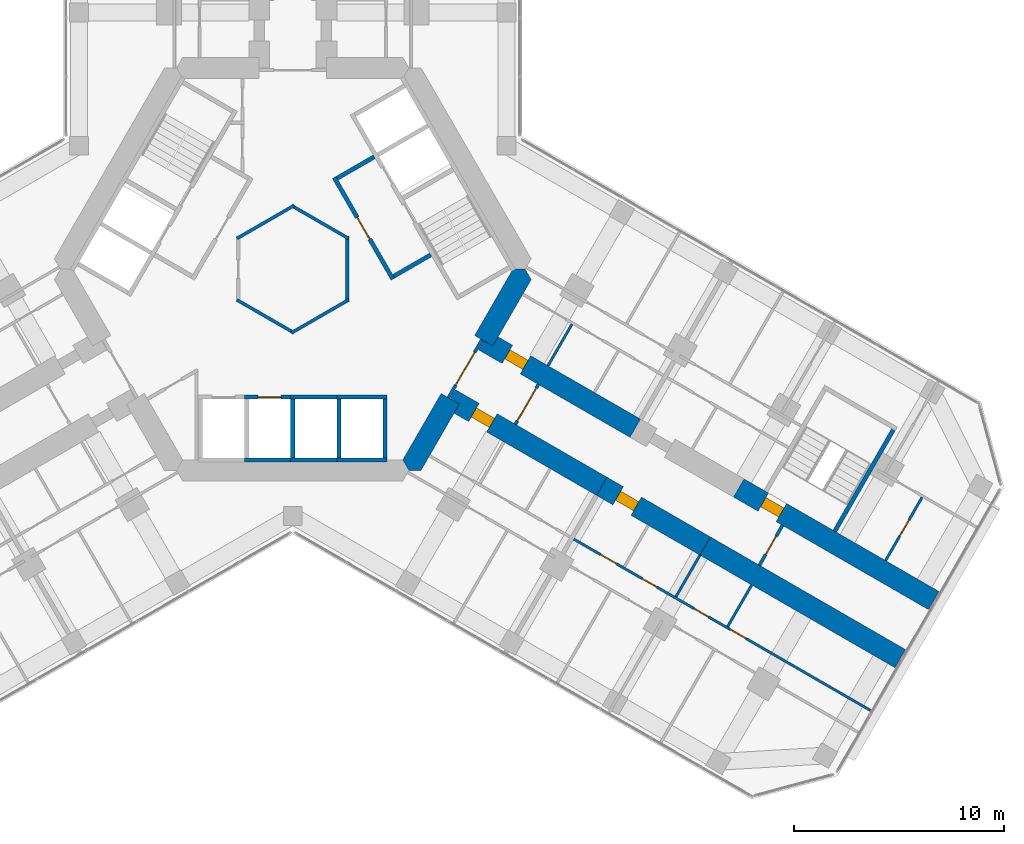
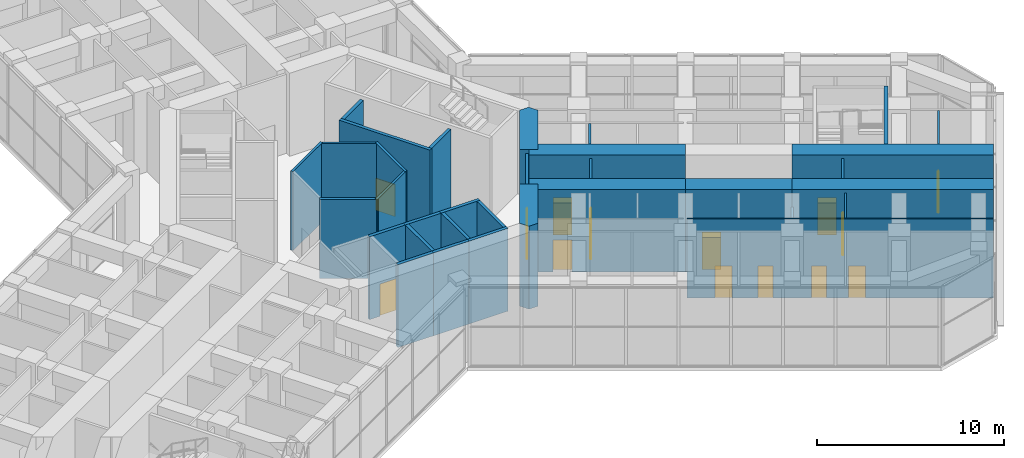
# One storey, part 17 of 23: 33 walls, 14 doors, 14 openings.
"""IFC4 building model written with IfcOpenShell, lengths in metres."""

from ifc_helpers import new_model, si_unit, direction, frame, frame_2d, origin, place, context, subcontext, project, spatial, polyline, rectangle, outline, extrude, material, layer, layer_set, type_object, element, fill, save


model = new_model("IFC4")

# Units and contexts
model_context = context("Model", 3, precision=1e-05, world=origin(), true_north=direction((0.0, 1.0)))
body_context = subcontext(model_context, "Body", "Model", "MODEL_VIEW")
ifc_project = project(units=[si_unit("LENGTHUNIT", "METRE"), si_unit("AREAUNIT", "SQUARE_METRE"), si_unit("VOLUMEUNIT", "CUBIC_METRE"), si_unit("PLANEANGLEUNIT", "RADIAN"), si_unit("MASSUNIT", "GRAM", prefix="KILO")], contexts=[model_context])

# Site, building, storey
site_placement = place(None, origin())
site = spatial("IfcSite", under=ifc_project, at=site_placement, CompositionType="ELEMENT")
building_placement = place(site_placement, origin())
building = spatial("IfcBuilding", under=site, at=building_placement, Name="Kosmar Iwan School Tower", CompositionType="ELEMENT")
storey_placement = place(building_placement, frame((0.0, 0.0, 75.39990234375)))
storey = spatial("IfcBuildingStorey", under=building, at=storey_placement, Name="L18", CompositionType="ELEMENT", Elevation=75.39990234375)

# Walls
ifc_material_1 = material(Name="Gypsum board on steel studs, fire-rated", Category="steel")
ifc_layer_1 = layer(ifc_material_1, 0.14990234375)
ifc_layer_set_1 = layer_set([ifc_layer_1], Name="Core room partition 150")
wall_type_1 = type_object("IfcWallType", Name="Core room partition 150", PredefinedType="PARTITIONING", material=ifc_layer_set_1)
for number, where, z_axis, x_axis, name in (
    (1, (2.6650390625, -1.463623046875, 0.0), (0.0, 0.0, 1.0), (-0.866023080072, -0.500004024767, 0.0), "Core room partition L18-CW4"),
    (2, (0.06494140625, -3.039794921875, 0.0), (0.0, 0.0, 1.0), (-0.866023080072, 0.500004024767, 0.0), "Core room partition L18-CW5"),
    (3, (-2.6650390625, 1.463623046875, 0.0), (0.0, 0.0, 1.0), (0.866023080072, 0.500004024767, 0.0), "Core room partition L18-CW7"),
    (4, (-0.06494140625, 3.039794921875, 0.0), (0.0, 0.0, 1.0), (0.866023080072, -0.500004024767, 0.0), "Core room partition L18-CW8"),
    (5, (2.60009765625, 1.576171875, 0.0), (0.0, 0.0, 1.0), (0.0, -1.0, 0.0), "Core room partition L18-CW9"),
):
    element("IfcWall", number, at=place(storey_placement, frame(where, z_axis=z_axis, x_axis=x_axis)), inside=storey, type_object=wall_type_1, Name=name, PredefinedType="PARTITIONING", context=body_context, shape_type="SweptSolid", body=[
        extrude(rectangle(XDim=3.15234375, YDim=0.14990234375, at=frame_2d((1.576171875, 0.0))), origin(), (0.0, 0.0, 1.0), 5.150146484375),
    ])
ifc_material_2 = material(Name="Concrete C50/60", Category="concrete")
ifc_layer_2 = layer(ifc_material_2, 1.0)
ifc_layer_set_2 = layer_set([ifc_layer_2], Name="Core wall 1000")
wall_type_2 = type_object("IfcWallType", Name="Core wall 1000", PredefinedType="SHEAR", material=ifc_layer_set_2)
wall_1_placement = place(storey_placement, origin())
element("IfcWall", 6, at=wall_1_placement, inside=storey, type_object=wall_type_2, Name="Core wall F330a", PredefinedType="SHEAR", context=body_context, shape_type="SweptSolid", body=[
    extrude(outline(polyline([(5.54248046875, -9.60009765625), (6.119873046875, -9.60009765625), (7.94677734375, -6.435546875), (7.080810546875, -5.935546875), (5.25390625, -9.10009765625), (5.54248046875, -9.60009765625)])), origin(), (0.0, 0.0, 1.0), 5.400146484375),
])
wall_2_placement = place(storey_placement, origin())
element("IfcWall", 7, at=wall_2_placement, inside=storey, type_object=wall_type_2, Name="Core wall F330b", PredefinedType="SHEAR", context=body_context, shape_type="SweptSolid", body=[
    extrude(outline(polyline([(9.546875, -3.664306640625), (11.373779296875, -0.5), (11.085205078125, 0.0), (10.5078125, 0.0), (8.680908203125, -3.164306640625), (9.546875, -3.664306640625)])), origin(), (0.0, 0.0, 1.0), 5.400146484375),
])

# Wall, opening, door
ifc_material_3 = material(Name="Concrete C50/60", Category="concrete")
ifc_layer_3 = layer(ifc_material_3, 1.0)
ifc_layer_set_3 = layer_set([ifc_layer_3], Name="Corridor buttress wall 1000")
wall_type_3 = type_object("IfcWallType", Name="Corridor buttress wall 1000", PredefinedType="SHEAR", material=ifc_layer_set_3)
wall_3_placement = place(storey_placement, frame((9.11376953125, -3.414306640625, 0.0), z_axis=(0.0, 0.0, 1.0), x_axis=(0.866026859388, -0.499997478812, 0.0)))
wall_3 = element("IfcWall", 8, at=wall_3_placement, inside=storey, type_object=wall_type_3, Name="Corridor wall CL", PredefinedType="SHEAR", context=body_context, shape_type="SweptSolid", body=[
    extrude(rectangle(XDim=8.35009765625, YDim=1.0, at=frame_2d((4.175048828125, 0.0))), origin(), (0.0, 0.0, 1.0), 5.400146484375),
])
opening_1_placement = place(wall_3_placement, frame((1.300048828125, 0.0, 0.0)))
opening_1 = element("IfcOpeningElement", 9, at=opening_1_placement, cuts=wall_3, Name="Opening D1", PredefinedType="OPENING", context=body_context, shape_type="SweptSolid", body=[
    extrude(rectangle(XDim=1.0, YDim=2.10009765625, at=frame_2d((0.5, 1.050048828125))), frame((0.0, 0.511962890625, 0.0), z_axis=(0.0, -1.0, 0.0), x_axis=(1.0, 0.0, 0.0)), (0.0, 0.0, 1.0), 1.02392578125),
])
ifc_material_4 = material(Name="Timber fire door in steel frame", Category="steel")
door_type_1 = type_object("IfcDoorType", Name="Flat entrance door 1000x2100", OperationType="SINGLE_SWING_LEFT", PredefinedType="DOOR", material=ifc_material_4)
door_1_placement = place(opening_1_placement, origin())
door_1 = element("IfcDoor", 10, at=door_1_placement, inside=storey, type_object=door_type_1, Name="Flat L18-CL1 entrance door", OperationType="SINGLE_SWING_RIGHT", OverallHeight=2.10009765625, OverallWidth=1.0, PredefinedType="DOOR", context=body_context, shape_type="SweptSolid", body=[
    extrude(rectangle(XDim=1.0, YDim=2.10009765625, at=frame_2d((0.5, 1.050048828125))), frame((0.0, 0.25, 0.0), z_axis=(0.0, -1.0, 0.0), x_axis=(1.0, 0.0, 0.0)), (0.0, 0.0, 1.0), 0.5),
])
fill(opening_1, door_1)

wall_4_placement = place(storey_placement, frame((21.281494140625, -10.439453125, 0.0), z_axis=(0.0, 0.0, 1.0), x_axis=(0.866032345022, -0.499987977232, 0.0)))
wall_4 = element("IfcWall", 11, at=wall_4_placement, inside=storey, type_object=wall_type_3, Name="Corridor wall CL bay 3", PredefinedType="SHEAR", context=body_context, shape_type="SweptSolid", body=[
    extrude(rectangle(XDim=10.744873046875, YDim=1.0, at=frame_2d((5.37255859375, 0.0))), origin(), (0.0, 0.0, 1.0), 5.400146484375),
])
opening_2_placement = place(wall_4_placement, frame((1.35009765625, 0.0, 0.0)))
opening_2 = element("IfcOpeningElement", 12, at=opening_2_placement, cuts=wall_4, Name="Opening D6", PredefinedType="OPENING", context=body_context, shape_type="SweptSolid", body=[
    extrude(rectangle(XDim=1.0, YDim=2.10009765625, at=frame_2d((0.5, 1.050048828125))), frame((0.0, 0.511962890625, 0.0), z_axis=(0.0, -1.0, 0.0), x_axis=(1.0, 0.0, 0.0)), (0.0, 0.0, 1.0), 1.02392578125),
])
ifc_material_5 = material(Name="Steel fire door", Category="steel")
door_type_2 = type_object("IfcDoorType", Name="Stair door 1000x2100", OperationType="SINGLE_SWING_LEFT", PredefinedType="DOOR", material=ifc_material_5)
door_2_placement = place(opening_2_placement, origin())
door_2 = element("IfcDoor", 13, at=door_2_placement, inside=storey, type_object=door_type_2, Name="Stair WS3 door L18", OperationType="SINGLE_SWING_LEFT", OverallHeight=2.10009765625, OverallWidth=1.0, PredefinedType="DOOR", context=body_context, shape_type="SweptSolid", body=[
    extrude(rectangle(XDim=1.0, YDim=2.10009765625, at=frame_2d((0.5, 1.050048828125))), frame((0.0, 0.25, 0.0), z_axis=(0.0, -1.0, 0.0), x_axis=(1.0, 0.0, 0.0)), (0.0, 0.0, 1.0), 0.5),
])
fill(opening_2, door_2)

wall_5_placement = place(storey_placement, frame((7.513916015625, -6.185546875, 0.0), z_axis=(0.0, 0.0, 1.0), x_axis=(0.866019549707, -0.500010139422, 0.0)))
wall_5 = element("IfcWall", 14, at=wall_5_placement, inside=storey, type_object=wall_type_3, Name="Corridor wall CR", PredefinedType="SHEAR", context=body_context, shape_type="SweptSolid", body=[
    extrude(rectangle(XDim=8.349853515625, YDim=1.0, at=frame_2d((4.1748046875, 0.0))), origin(), (0.0, 0.0, 1.0), 5.400146484375),
])
opening_3_placement = place(wall_5_placement, frame((1.300048828125, 0.0, 0.0)))
opening_3 = element("IfcOpeningElement", 15, at=opening_3_placement, cuts=wall_5, Name="Opening D1", PredefinedType="OPENING", context=body_context, shape_type="SweptSolid", body=[
    extrude(rectangle(XDim=1.0, YDim=2.10009765625, at=frame_2d((0.5, 1.050048828125))), frame((0.0, 0.511962890625, 0.0), z_axis=(0.0, -1.0, 0.0), x_axis=(1.0, 0.0, 0.0)), (0.0, 0.0, 1.0), 1.02392578125),
])
door_3_placement = place(opening_3_placement, origin())
door_3 = element("IfcDoor", 16, at=door_3_placement, inside=storey, type_object=door_type_1, Name="Flat L18-CR1 entrance door", OperationType="SINGLE_SWING_RIGHT", OverallHeight=2.10009765625, OverallWidth=1.0, PredefinedType="DOOR", context=body_context, shape_type="SweptSolid", body=[
    extrude(rectangle(XDim=1.0, YDim=2.10009765625, at=frame_2d((0.5, 1.050048828125))), frame((0.0, 0.25, 0.0), z_axis=(0.0, -1.0, 0.0), x_axis=(1.0, 0.0, 0.0)), (0.0, 0.0, 1.0), 0.5),
])
fill(opening_3, door_3)

wall_6_placement = place(storey_placement, frame((14.7451171875, -10.360595703125, 0.0), z_axis=(0.0, 0.0, 1.0), x_axis=(0.866015111908, -0.50001782563, 0.0)))
wall_6 = element("IfcWall", 17, at=wall_6_placement, inside=storey, type_object=wall_type_3, Name="Corridor wall CR bay 2", PredefinedType="SHEAR", context=body_context, shape_type="SweptSolid", body=[
    extrude(rectangle(XDim=5.699951171875, YDim=1.0, at=frame_2d((2.85009765625, 0.0))), origin(), (0.0, 0.0, 1.0), 5.400146484375),
])
opening_4_placement = place(wall_6_placement, frame((0.89990234375, 0.0, 0.0)))
opening_4 = element("IfcOpeningElement", 18, at=opening_4_placement, cuts=wall_6, Name="Opening D1", PredefinedType="OPENING", context=body_context, shape_type="SweptSolid", body=[
    extrude(rectangle(XDim=1.0, YDim=2.10009765625, at=frame_2d((0.5, 1.050048828125))), frame((0.0, 0.511962890625, 0.0), z_axis=(0.0, -1.0, 0.0), x_axis=(1.0, 0.0, 0.0)), (0.0, 0.0, 1.0), 1.02392578125),
])
door_4_placement = place(opening_4_placement, origin())
door_4 = element("IfcDoor", 19, at=door_4_placement, inside=storey, type_object=door_type_1, Name="Flat L18-CR2 entrance door", OperationType="SINGLE_SWING_LEFT", OverallHeight=2.10009765625, OverallWidth=1.0, PredefinedType="DOOR", context=body_context, shape_type="SweptSolid", body=[
    extrude(rectangle(XDim=1.0, YDim=2.10009765625, at=frame_2d((0.5, 1.050048828125))), frame((0.0, 0.25, 0.0), z_axis=(0.0, -1.0, 0.0), x_axis=(1.0, 0.0, 0.0)), (0.0, 0.0, 1.0), 0.5),
])
fill(opening_4, door_4)

# Wall
wall_7_placement = place(storey_placement, frame((19.681396484375, -13.210693359375, 0.0), z_axis=(0.0, 0.0, 1.0), x_axis=(0.866028186671, -0.499995179869, 0.0)))
element("IfcWall", 20, at=wall_7_placement, inside=storey, type_object=wall_type_3, Name="Corridor wall CR bay 3", PredefinedType="SHEAR", context=body_context, shape_type="SweptSolid", body=[
    extrude(rectangle(XDim=10.7451171875, YDim=1.0, at=frame_2d((5.37255859375, 0.0))), origin(), (0.0, 0.0, 1.0), 5.400146484375),
])

# Wall, opening, door
ifc_material_6 = material(Name="Gypsum board on steel studs, fire-rated", Category="steel")
ifc_layer_4 = layer(ifc_material_6, 0.14990234375)
ifc_layer_set_4 = layer_set([ifc_layer_4], Name="Corridor end wall 150")
wall_type_4 = type_object("IfcWallType", Name="Corridor end wall 150", PredefinedType="PARTITIONING", material=ifc_layer_set_4)
wall_8_placement = place(storey_placement, frame((22.269775390625, -14.127685546875, 0.0), z_axis=(0.0, 0.0, 1.0), x_axis=(0.50002983664, 0.866008176907, 0.0)))
wall_8 = element("IfcWall", 21, at=wall_8_placement, inside=storey, type_object=wall_type_4, Name="Partition L18-C-CE", PredefinedType="PARTITIONING", context=body_context, shape_type="SweptSolid", body=[
    extrude(rectangle(XDim=2.199951171875, YDim=0.14990234375, at=frame_2d((1.10009765625, 0.0))), origin(), (0.0, 0.0, 1.0), 5.150146484375),
])
opening_5_placement = place(wall_8_placement, frame((0.60009765625, 0.0, 0.0)))
opening_5 = element("IfcOpeningElement", 22, at=opening_5_placement, cuts=wall_8, Name="Opening D13", PredefinedType="OPENING", context=body_context, shape_type="SweptSolid", body=[
    extrude(rectangle(XDim=1.0, YDim=2.10009765625, at=frame_2d((0.5, 1.050048828125))), frame((0.0, 0.0869140625, 0.0), z_axis=(0.0, -1.0, 0.0), x_axis=(1.0, 0.0, 0.0)), (0.0, 0.0, 1.0), 0.173828125),
])
ifc_material_7 = material(Name="Timber fire door with vision panel", Category="wood")
door_type_3 = type_object("IfcDoorType", Name="Corridor end door 1000x2100", OperationType="SINGLE_SWING_LEFT", PredefinedType="DOOR", material=ifc_material_7)
door_5_placement = place(opening_5_placement, origin())
door_5 = element("IfcDoor", 23, at=door_5_placement, inside=storey, type_object=door_type_3, Name="Laundry and drying room door L18-C", OperationType="SINGLE_SWING_LEFT", OverallHeight=2.10009765625, OverallWidth=1.0, PredefinedType="DOOR", context=body_context, shape_type="SweptSolid", body=[
    extrude(rectangle(XDim=1.0, YDim=2.10009765625, at=frame_2d((0.5, 1.050048828125))), frame((0.0, 0.02490234375, 0.0), z_axis=(0.0, -1.0, 0.0), x_axis=(1.0, 0.0, 0.0)), (0.0, 0.0, 1.0), 0.050048828125),
])
fill(opening_5, door_5)

wall_9_placement = place(storey_placement, frame((10.621826171875, -7.402587890625, 0.0), z_axis=(0.0, 0.0, 1.0), x_axis=(0.499946605688, 0.86605622881, 0.0)))
wall_9 = element("IfcWall", 24, at=wall_9_placement, inside=storey, type_object=wall_type_4, Name="Partition L18-C-HW", PredefinedType="PARTITIONING", context=body_context, shape_type="SweptSolid", body=[
    extrude(rectangle(XDim=2.199951171875, YDim=0.14990234375, at=frame_2d((1.10009765625, 0.0))), origin(), (0.0, 0.0, 1.0), 5.150146484375),
])
opening_6_placement = place(wall_9_placement, frame((0.199951171875, 0.0, 0.0)))
opening_6 = element("IfcOpeningElement", 25, at=opening_6_placement, cuts=wall_9, Name="Opening D9", PredefinedType="OPENING", context=body_context, shape_type="SweptSolid", body=[
    extrude(rectangle(XDim=1.800048828125, YDim=2.10009765625, at=frame_2d((0.89990234375, 1.050048828125))), frame((0.0, 0.0869140625, 0.0), z_axis=(0.0, -1.0, 0.0), x_axis=(1.0, 0.0, 0.0)), (0.0, 0.0, 1.0), 0.173828125),
])
ifc_material_8 = material(Name="Steel framed glazed smoke door", Category="steel")
door_type_4 = type_object("IfcDoorType", Name="Corridor smoke door pair 1800x2100", OperationType="DOUBLE_DOOR_DOUBLE_SWING", PredefinedType="DOOR", material=ifc_material_8)
door_6_placement = place(opening_6_placement, origin())
door_6 = element("IfcDoor", 26, at=door_6_placement, inside=storey, type_object=door_type_4, Name="Entrance vestibule smoke doors L18-C", OperationType="DOUBLE_DOOR_DOUBLE_SWING", OverallHeight=2.10009765625, OverallWidth=1.800048828125, PredefinedType="DOOR", context=body_context, shape_type="SweptSolid", body=[
    extrude(rectangle(XDim=1.800048828125, YDim=2.10009765625, at=frame_2d((0.89990234375, 1.050048828125))), frame((0.0, 0.02490234375, 0.0), z_axis=(0.0, -1.0, 0.0), x_axis=(1.0, 0.0, 0.0)), (0.0, 0.0, 1.0), 0.050048828125),
])
fill(opening_6, door_6)

ifc_material_9 = material(Name="Steel framed glazed screen", Category="steel")
ifc_layer_5 = layer(ifc_material_9, 0.14990234375)
ifc_layer_set_5 = layer_set([ifc_layer_5], Name="Corridor screen wall 150")
wall_type_5 = type_object("IfcWallType", Name="Corridor screen wall 150", PredefinedType="PARTITIONING", material=ifc_layer_set_5)
wall_10_placement = place(storey_placement, frame((7.42724609375, -6.1357421875, 0.0), z_axis=(0.0, 0.0, 1.0), x_axis=(0.499995408039, 0.866028054938, 0.0)))
wall_10 = element("IfcWall", 27, at=wall_10_placement, inside=storey, type_object=wall_type_5, Name="Corridor screen C L18", PredefinedType="PARTITIONING", context=body_context, shape_type="SweptSolid", body=[
    extrude(rectangle(XDim=3.2001953125, YDim=0.14990234375, at=frame_2d((1.60009765625, 0.0))), origin(), (0.0, 0.0, 1.0), 5.150146484375),
])
opening_7_placement = place(wall_10_placement, frame((0.699951171875, 0.0, 0.0)))
opening_7 = element("IfcOpeningElement", 28, at=opening_7_placement, cuts=wall_10, Name="Opening D9", PredefinedType="OPENING", context=body_context, shape_type="SweptSolid", body=[
    extrude(rectangle(XDim=1.800048828125, YDim=2.10009765625, at=frame_2d((0.89990234375, 1.050048828125))), frame((0.0, 0.0869140625, 0.0), z_axis=(0.0, -1.0, 0.0), x_axis=(1.0, 0.0, 0.0)), (0.0, 0.0, 1.0), 0.173828125),
])
door_7_placement = place(opening_7_placement, origin())
door_7 = element("IfcDoor", 29, at=door_7_placement, inside=storey, type_object=door_type_4, Name="Corridor doors C L18", OperationType="DOUBLE_DOOR_DOUBLE_SWING", OverallHeight=2.10009765625, OverallWidth=1.800048828125, PredefinedType="DOOR", context=body_context, shape_type="SweptSolid", body=[
    extrude(rectangle(XDim=1.800048828125, YDim=2.10009765625, at=frame_2d((0.89990234375, 1.050048828125))), frame((0.0, 0.02490234375, 0.0), z_axis=(0.0, -1.0, 0.0), x_axis=(1.0, 0.0, 0.0)), (0.0, 0.0, 1.0), 0.050048828125),
])
fill(opening_7, door_7)

# Wall
ifc_material_10 = material(Name="Gypsum board on steel studs", Category="steel")
ifc_layer_6 = layer(ifc_material_10, 0.1201171875)
ifc_layer_set_6 = layer_set([ifc_layer_6], Name="Dwelling partition 120")
wall_type_6 = type_object("IfcWallType", Name="Dwelling partition 120", PredefinedType="PARTITIONING", material=ifc_layer_set_6)
wall_11_placement = place(storey_placement, frame((12.178466796875, -4.6064453125, 0.0), z_axis=(0.0, 0.0, 1.0), x_axis=(0.499968531483, 0.866043571379, 0.0)))
element("IfcWall", 30, at=wall_11_placement, inside=storey, type_object=wall_type_6, Name="Partition L18-CL1-Y1", PredefinedType="PARTITIONING", context=body_context, shape_type="SweptSolid", body=[
    extrude(rectangle(XDim=2.290283203125, YDim=0.1201171875, at=frame_2d((1.14501953125, 0.0))), origin(), (0.0, 0.0, 1.0), 5.150146484375),
])

# Wall, opening, door
wall_12_placement = place(storey_placement, frame((28.286376953125, -13.90625, 0.0), z_axis=(0.0, 0.0, 1.0), x_axis=(0.50002117804, 0.866013176292, 0.0)))
wall_12 = element("IfcWall", 31, at=wall_12_placement, inside=storey, type_object=wall_type_6, Name="Partition L18-CL2-TY", PredefinedType="PARTITIONING", context=body_context, shape_type="SweptSolid", body=[
    extrude(rectangle(XDim=3.489990234375, YDim=0.1201171875, at=frame_2d((1.7451171875, 0.0))), origin(), (0.0, 0.0, 1.0), 5.150146484375),
])
opening_8_placement = place(wall_12_placement, frame((1.344970703125, 0.0, 0.0)))
opening_8 = element("IfcOpeningElement", 32, at=opening_8_placement, cuts=wall_12, Name="Opening D2", PredefinedType="OPENING", context=body_context, shape_type="SweptSolid", body=[
    extrude(rectangle(XDim=0.89990234375, YDim=2.10009765625, at=frame_2d((0.449951171875, 1.050048828125))), frame((0.0, 0.072021484375, 0.0), z_axis=(0.0, -1.0, 0.0), x_axis=(1.0, 0.0, 0.0)), (0.0, 0.0, 1.0), 0.14404296875),
])
ifc_material_11 = material(Name="Timber door in timber frame", Category="wood")
door_type_5 = type_object("IfcDoorType", Name="Internal door 900x2100", OperationType="SINGLE_SWING_LEFT", PredefinedType="DOOR", material=ifc_material_11)
door_8_placement = place(opening_8_placement, origin())
door_8 = element("IfcDoor", 33, at=door_8_placement, inside=storey, type_object=door_type_5, Name="Bedroom 4 door L18-CL2-T4", OperationType="SINGLE_SWING_RIGHT", OverallHeight=2.10009765625, OverallWidth=0.89990234375, PredefinedType="DOOR", context=body_context, shape_type="SweptSolid", body=[
    extrude(rectangle(XDim=0.89990234375, YDim=2.10009765625, at=frame_2d((0.449951171875, 1.050048828125))), frame((0.0, 0.02490234375, 0.0), z_axis=(0.0, -1.0, 0.0), x_axis=(1.0, 0.0, 0.0)), (0.0, 0.0, 1.0), 0.050048828125),
])
fill(opening_8, door_8)

# Wall, openings, doors
wall_13_placement = place(storey_placement, frame((13.40673828125, -12.87890625, 0.0), z_axis=(0.0, 0.0, 1.0), x_axis=(0.86603037493, -0.499991389624, 0.0)))
wall_13 = element("IfcWall", 34, at=wall_13_placement, inside=storey, type_object=wall_type_6, Name="Partition L18-CR2-W1", PredefinedType="PARTITIONING", context=body_context, shape_type="SweptSolid", body=[
    extrude(rectangle(XDim=16.344970703125, YDim=0.1201171875, at=frame_2d((8.17236328125, 0.0))), origin(), (0.0, 0.0, 1.0), 5.150146484375),
])
opening_9_placement = place(wall_13_placement, frame((1.47509765625, 0.0, 0.0)))
opening_9 = element("IfcOpeningElement", 35, at=opening_9_placement, cuts=wall_13, Name="Opening D2", PredefinedType="OPENING", context=body_context, shape_type="SweptSolid", body=[
    extrude(rectangle(XDim=0.89990234375, YDim=2.10009765625, at=frame_2d((0.449951171875, 1.050048828125))), frame((0.0, 0.072021484375, 0.0), z_axis=(0.0, -1.0, 0.0), x_axis=(1.0, 0.0, 0.0)), (0.0, 0.0, 1.0), 0.14404296875),
])
opening_10_placement = place(wall_13_placement, frame((3.77490234375, 0.0, 0.0)))
opening_10 = element("IfcOpeningElement", 36, at=opening_10_placement, cuts=wall_13, Name="Opening D3", PredefinedType="OPENING", context=body_context, shape_type="SweptSolid", body=[
    extrude(rectangle(XDim=0.800048828125, YDim=2.10009765625, at=frame_2d((0.39990234375, 1.050048828125))), frame((0.0, 0.072021484375, 0.0), z_axis=(0.0, -1.0, 0.0), x_axis=(1.0, 0.0, 0.0)), (0.0, 0.0, 1.0), 0.14404296875),
])
opening_11_placement = place(wall_13_placement, frame((6.625, 0.0, 0.0)))
opening_11 = element("IfcOpeningElement", 37, at=opening_11_placement, cuts=wall_13, Name="Opening D3", PredefinedType="OPENING", context=body_context, shape_type="SweptSolid", body=[
    extrude(rectangle(XDim=0.800048828125, YDim=2.10009765625, at=frame_2d((0.39990234375, 1.050048828125))), frame((0.0, 0.072021484375, 0.0), z_axis=(0.0, -1.0, 0.0), x_axis=(1.0, 0.0, 0.0)), (0.0, 0.0, 1.0), 0.14404296875),
])
opening_12_placement = place(wall_13_placement, frame((8.610107421875, 0.0, 0.0)))
opening_12 = element("IfcOpeningElement", 38, at=opening_12_placement, cuts=wall_13, Name="Opening D2", PredefinedType="OPENING", context=body_context, shape_type="SweptSolid", body=[
    extrude(rectangle(XDim=0.89990234375, YDim=2.10009765625, at=frame_2d((0.449951171875, 1.050048828125))), frame((0.0, 0.072021484375, 0.0), z_axis=(0.0, -1.0, 0.0), x_axis=(1.0, 0.0, 0.0)), (0.0, 0.0, 1.0), 0.14404296875),
])
door_9_placement = place(opening_9_placement, origin())
door_9 = element("IfcDoor", 39, at=door_9_placement, inside=storey, type_object=door_type_5, Name="Entrance hall door L18-CR2-S1", OperationType="SINGLE_SWING_RIGHT", OverallHeight=2.10009765625, OverallWidth=0.89990234375, PredefinedType="DOOR", context=body_context, shape_type="SweptSolid", body=[
    extrude(rectangle(XDim=0.89990234375, YDim=2.10009765625, at=frame_2d((0.449951171875, 1.050048828125))), frame((0.0, 0.02490234375, 0.0), z_axis=(0.0, -1.0, 0.0), x_axis=(1.0, 0.0, 0.0)), (0.0, 0.0, 1.0), 0.050048828125),
])
fill(opening_9, door_9)
door_10_placement = place(opening_12_placement, origin())
door_10 = element("IfcDoor", 40, at=door_10_placement, inside=storey, type_object=door_type_5, Name="Bedroom 4 door L18-CR2-S4", OperationType="SINGLE_SWING_LEFT", OverallHeight=2.10009765625, OverallWidth=0.89990234375, PredefinedType="DOOR", context=body_context, shape_type="SweptSolid", body=[
    extrude(rectangle(XDim=0.89990234375, YDim=2.10009765625, at=frame_2d((0.449951171875, 1.050048828125))), frame((0.0, 0.02490234375, 0.0), z_axis=(0.0, -1.0, 0.0), x_axis=(1.0, 0.0, 0.0)), (0.0, 0.0, 1.0), 0.050048828125),
])
fill(opening_12, door_10)
ifc_material_12 = material(Name="Timber door in timber frame", Category="wood")
door_type_6 = type_object("IfcDoorType", Name="Sanitary room door 800x2100", OperationType="SINGLE_SWING_LEFT", PredefinedType="DOOR", material=ifc_material_12)
door_11_placement = place(opening_10_placement, origin())
door_11 = element("IfcDoor", 41, at=door_11_placement, inside=storey, type_object=door_type_6, Name="Bathroom door L18-CR2-S2", OperationType="SINGLE_SWING_LEFT", OverallHeight=2.10009765625, OverallWidth=0.800048828125, PredefinedType="DOOR", context=body_context, shape_type="SweptSolid", body=[
    extrude(rectangle(XDim=0.800048828125, YDim=2.10009765625, at=frame_2d((0.39990234375, 1.050048828125))), frame((0.0, 0.02490234375, 0.0), z_axis=(0.0, -1.0, 0.0), x_axis=(1.0, 0.0, 0.0)), (0.0, 0.0, 1.0), 0.050048828125),
])
fill(opening_10, door_11)
door_12_placement = place(opening_11_placement, origin())
door_12 = element("IfcDoor", 42, at=door_12_placement, inside=storey, type_object=door_type_6, Name="Shower room door L18-CR2-S3", OperationType="SINGLE_SWING_RIGHT", OverallHeight=2.10009765625, OverallWidth=0.800048828125, PredefinedType="DOOR", context=body_context, shape_type="SweptSolid", body=[
    extrude(rectangle(XDim=0.800048828125, YDim=2.10009765625, at=frame_2d((0.39990234375, 1.050048828125))), frame((0.0, 0.02490234375, 0.0), z_axis=(0.0, -1.0, 0.0), x_axis=(1.0, 0.0, 0.0)), (0.0, 0.0, 1.0), 0.050048828125),
])
fill(opening_11, door_12)

# Walls
wall_14_placement = place(storey_placement, frame((19.431396484375, -13.6435546875, 0.0), z_axis=(0.0, 0.0, 1.0), x_axis=(-0.499968531483, -0.866043571379, 0.0)))
element("IfcWall", 43, at=wall_14_placement, inside=storey, type_object=wall_type_6, Name="Partition L18-CR2-Y2", PredefinedType="PARTITIONING", context=body_context, shape_type="SweptSolid", body=[
    extrude(rectangle(XDim=2.290283203125, YDim=0.1201171875, at=frame_2d((1.14501953125, 0.0))), origin(), (0.0, 0.0, 1.0), 4.25),
])
wall_15_placement = place(storey_placement, frame((21.899658203125, -15.068603515625, 0.0), z_axis=(0.0, 0.0, 1.0), x_axis=(-0.500014693593, -0.866016920268, 0.0)))
element("IfcWall", 44, at=wall_15_placement, inside=storey, type_object=wall_type_6, Name="Partition L18-CR2-Y3", PredefinedType="PARTITIONING", context=body_context, shape_type="SweptSolid", body=[
    extrude(rectangle(XDim=2.2900390625, YDim=0.1201171875, at=frame_2d((1.14501953125, 0.0))), origin(), (0.0, 0.0, 1.0), 5.150146484375),
])
ifc_material_13 = material(Name="Concrete C35/45", Category="concrete")
ifc_layer_7 = layer(ifc_material_13, 0.199951171875)
ifc_layer_set_7 = layer_set([ifc_layer_7], Name="Escape stair wall 200")
wall_type_7 = type_object("IfcWallType", Name="Escape stair wall 200", PredefinedType="SHEAR", material=ifc_layer_set_7)
wall_16_placement = place(storey_placement, frame((25.861572265625, -12.50634765625, 0.0), z_axis=(0.0, 0.0, 1.0), x_axis=(0.500018801468, 0.86601454848, 0.0)))
element("IfcWall", 45, at=wall_16_placement, inside=storey, type_object=wall_type_7, Name="Stair WS3 wall", PredefinedType="SHEAR", context=body_context, shape_type="SweptSolid", body=[
    extrude(rectangle(XDim=5.800048828125, YDim=0.199951171875, at=frame_2d((2.89990234375, 0.0))), origin(), (0.0, 0.0, 1.0), 5.130126953125),
])

# Wall, opening, door
ifc_material_14 = material(Name="Concrete block masonry", Category="masonry")
ifc_layer_8 = layer(ifc_material_14, 0.199951171875)
ifc_layer_set_8 = layer_set([ifc_layer_8], Name="Fire lobby wall 200")
wall_type_8 = type_object("IfcWallType", Name="Fire lobby wall 200", PredefinedType="PARTITIONING", material=ifc_layer_set_8)
wall_17_placement = place(storey_placement, frame((4.777587890625, -0.474853515625, 0.0), z_axis=(0.0, 0.0, 1.0), x_axis=(-0.500016814911, 0.866015695474, 0.0)))
wall_17 = element("IfcWall", 46, at=wall_17_placement, inside=storey, type_object=wall_type_8, Name="Firefighting lobby wall ST1", PredefinedType="PARTITIONING", context=body_context, shape_type="SweptSolid", body=[
    extrude(rectangle(XDim=5.599853515625, YDim=0.199951171875, at=frame_2d((2.7998046875, 0.0))), origin(), (0.0, 0.0, 1.0), 5.150146484375),
])
opening_13_placement = place(wall_17_placement, frame((2.199951171875, 0.0, 0.0)))
opening_13 = element("IfcOpeningElement", 47, at=opening_13_placement, cuts=wall_17, Name="Opening D7", PredefinedType="OPENING", context=body_context, shape_type="SweptSolid", body=[
    extrude(rectangle(XDim=1.199951171875, YDim=2.10009765625, at=frame_2d((0.60009765625, 1.050048828125))), frame((0.0, 0.112060546875, 0.0), z_axis=(0.0, -1.0, 0.0), x_axis=(1.0, 0.0, 0.0)), (0.0, 0.0, 1.0), 0.223876953125),
])
ifc_material_15 = material(Name="Steel fire door", Category="steel")
door_type_7 = type_object("IfcDoorType", Name="Fire lobby door 1200x2100", OperationType="SINGLE_SWING_LEFT", PredefinedType="DOOR", material=ifc_material_15)
door_13_placement = place(opening_13_placement, frame((1.199951171875, 0.0, 0.0), z_axis=(0.0, 0.0, 1.0), x_axis=(-1.0, 0.0, 0.0)))
door_13 = element("IfcDoor", 48, at=door_13_placement, inside=storey, type_object=door_type_7, Name="Firefighting lobby door ST1 L18", OperationType="SINGLE_SWING_RIGHT", OverallHeight=2.10009765625, OverallWidth=1.199951171875, PredefinedType="DOOR", context=body_context, shape_type="SweptSolid", body=[
    extrude(rectangle(XDim=1.199951171875, YDim=2.10009765625, at=frame_2d((0.60009765625, 1.050048828125))), frame((0.0, 0.02490234375, 0.0), z_axis=(0.0, -1.0, 0.0), x_axis=(1.0, 0.0, 0.0)), (0.0, 0.0, 1.0), 0.050048828125),
])
fill(opening_13, door_13)

# Walls
wall_18_placement = place(storey_placement, frame((4.814208984375, -0.33837890625, 0.0), z_axis=(0.0, 0.0, 1.0), x_axis=(0.865969381856, 0.500097020274, 0.0)))
element("IfcWall", 49, at=wall_18_placement, inside=storey, type_object=wall_type_8, Name="Firefighting lobby wall ST1", PredefinedType="PARTITIONING", context=body_context, shape_type="SweptSolid", body=[
    extrude(rectangle(XDim=2.0498046875, YDim=0.199951171875, at=frame_2d((1.02490234375, 0.0))), origin(), (0.0, 0.0, 1.0), 5.150146484375),
])
wall_19_placement = place(storey_placement, frame((2.114013671875, 4.33837890625, 0.0), z_axis=(0.0, 0.0, 1.0), x_axis=(0.866050731258, 0.499956128963, 0.0)))
element("IfcWall", 50, at=wall_19_placement, inside=storey, type_object=wall_type_8, Name="Firefighting lobby wall ST1", PredefinedType="PARTITIONING", context=body_context, shape_type="SweptSolid", body=[
    extrude(rectangle(XDim=2.050048828125, YDim=0.199951171875, at=frame_2d((1.02490234375, 0.0))), origin(), (0.0, 0.0, 1.0), 5.150146484375),
])

# Wall, opening, door
ifc_material_16 = material(Name="Concrete C50/60", Category="concrete")
ifc_layer_9 = layer(ifc_material_16, 0.199951171875)
ifc_layer_set_9 = layer_set([ifc_layer_9], Name="Lift shaft wall 200")
wall_type_9 = type_object("IfcWallType", Name="Lift shaft wall 200", PredefinedType="SHEAR", material=ifc_layer_set_9)
wall_20_placement = place(storey_placement, frame((-2.300048828125, -6.10009765625, 0.0), z_axis=(0.0, 0.0, 1.0), x_axis=(1.0, 0.0, 0.0)))
wall_20 = element("IfcWall", 51, at=wall_20_placement, inside=storey, type_object=wall_type_9, Name="Lift and stair front wall BC", PredefinedType="SHEAR", context=body_context, shape_type="SweptSolid", body=[
    extrude(rectangle(XDim=2.199951171875, YDim=0.199951171875, at=frame_2d((1.10009765625, 0.0))), origin(), (0.0, 0.0, 1.0), 5.400146484375),
])
opening_14_placement = place(wall_20_placement, frame((0.64990234375, 0.0, 0.0)))
opening_14 = element("IfcOpeningElement", 52, at=opening_14_placement, cuts=wall_20, Name="Opening LD1", PredefinedType="OPENING", context=body_context, shape_type="SweptSolid", body=[
    extrude(rectangle(XDim=1.10009765625, YDim=2.10009765625, at=frame_2d((0.550048828125, 1.050048828125))), frame((0.0, 0.112060546875, 0.0), z_axis=(0.0, -1.0, 0.0), x_axis=(1.0, 0.0, 0.0)), (0.0, 0.0, 1.0), 0.223876953125),
])
ifc_material_17 = material(Name="Stainless steel sliding lift door", Category="steel")
door_type_8 = type_object("IfcDoorType", Name="Lift landing door 1100x2100", OperationType="SLIDING_TO_LEFT", PredefinedType="DOOR", material=ifc_material_17)
door_14_placement = place(opening_14_placement, origin())
door_14 = element("IfcDoor", 53, at=door_14_placement, inside=storey, type_object=door_type_8, Name="Lift PL2 landing door L18", OperationType="SLIDING_TO_LEFT", OverallHeight=2.10009765625, OverallWidth=1.10009765625, PredefinedType="DOOR", context=body_context, shape_type="SweptSolid", body=[
    extrude(rectangle(XDim=1.10009765625, YDim=2.10009765625, at=frame_2d((0.550048828125, 1.050048828125))), frame((0.0, 0.02490234375, 0.0), z_axis=(0.0, -1.0, 0.0), x_axis=(1.0, 0.0, 0.0)), (0.0, 0.0, 1.0), 0.050048828125),
])
fill(opening_14, door_14)

# Walls
wall_21_placement = place(storey_placement, frame((-2.300048828125, -9.10009765625, 0.0), z_axis=(0.0, 0.0, 1.0), x_axis=(1.0, 0.0, 0.0)))
element("IfcWall", 54, at=wall_21_placement, inside=storey, type_object=wall_type_9, Name="Lift and stair back wall BC", PredefinedType="SHEAR", context=body_context, shape_type="SweptSolid", body=[
    extrude(rectangle(XDim=2.199951171875, YDim=0.199951171875, at=frame_2d((1.10009765625, 0.0))), origin(), (0.0, 0.0, 1.0), 5.400146484375),
])
for number, where, z_axis, x_axis, name in (
    (55, (-0.10009765625, -6.10009765625, 0.0), (0.0, 0.0, 1.0), (1.0, 0.0, 0.0), "Lift and stair front wall BC"),
    (56, (-0.10009765625, -9.10009765625, 0.0), (0.0, 0.0, 1.0), (1.0, 0.0, 0.0), "Lift and stair back wall BC"),
):
    element("IfcWall", number, at=place(storey_placement, frame(where, z_axis=z_axis, x_axis=x_axis)), inside=storey, type_object=wall_type_9, Name=name, PredefinedType="SHEAR", context=body_context, shape_type="SweptSolid", body=[
        extrude(rectangle(XDim=2.2001953125, YDim=0.199951171875, at=frame_2d((1.10009765625, 0.0))), origin(), (0.0, 0.0, 1.0), 5.400146484375),
    ])
for number, where, z_axis, x_axis, name in (
    (57, (2.10009765625, -6.10009765625, 0.0), (0.0, 0.0, 1.0), (1.0, 0.0, 0.0), "Lift and stair front wall BC"),
    (58, (2.10009765625, -9.10009765625, 0.0), (0.0, 0.0, 1.0), (1.0, 0.0, 0.0), "Lift and stair back wall BC"),
):
    element("IfcWall", number, at=place(storey_placement, frame(where, z_axis=z_axis, x_axis=x_axis)), inside=storey, type_object=wall_type_9, Name=name, PredefinedType="SHEAR", context=body_context, shape_type="SweptSolid", body=[
        extrude(rectangle(XDim=2.39990234375, YDim=0.199951171875, at=frame_2d((1.199951171875, 0.0))), origin(), (0.0, 0.0, 1.0), 5.400146484375),
    ])
for number, where, z_axis, x_axis, name in (
    (59, (0.0, -6.199951171875, 0.0), (0.0, 0.0, 1.0), (0.0, -1.0, 0.0), "Lift shaft wall BC 2"),
    (60, (2.199951171875, -6.199951171875, 0.0), (0.0, 0.0, 1.0), (0.0, -1.0, 0.0), "Lift shaft wall BC 3"),
    (61, (4.39990234375, -6.199951171875, 0.0), (0.0, 0.0, 1.0), (0.0, -1.0, 0.0), "Lift shaft wall BC 4"),
):
    element("IfcWall", number, at=place(storey_placement, frame(where, z_axis=z_axis, x_axis=x_axis)), inside=storey, type_object=wall_type_9, Name=name, PredefinedType="SHEAR", context=body_context, shape_type="SweptSolid", body=[
        extrude(rectangle(XDim=2.800048828125, YDim=0.199951171875, at=frame_2d((1.39990234375, 0.0))), origin(), (0.0, 0.0, 1.0), 5.400146484375),
    ])

save(model, "model.ifc")
